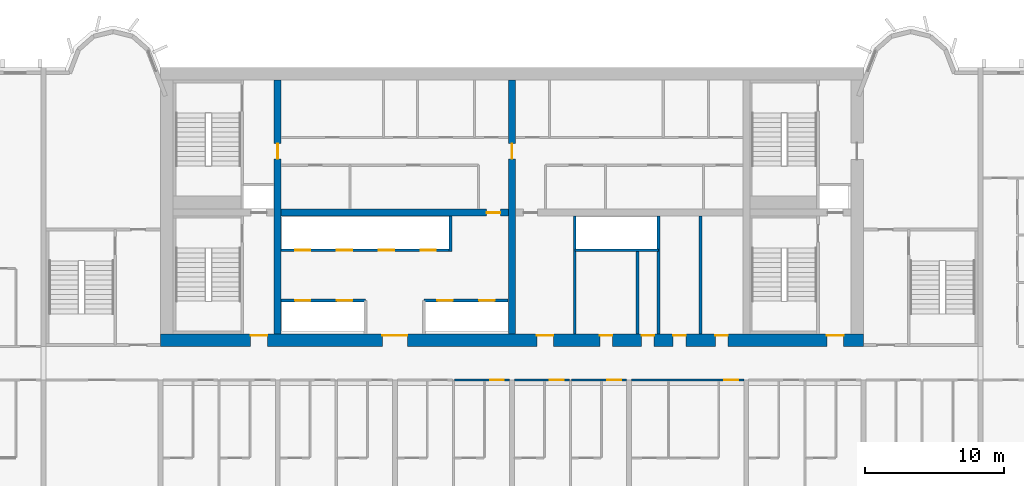
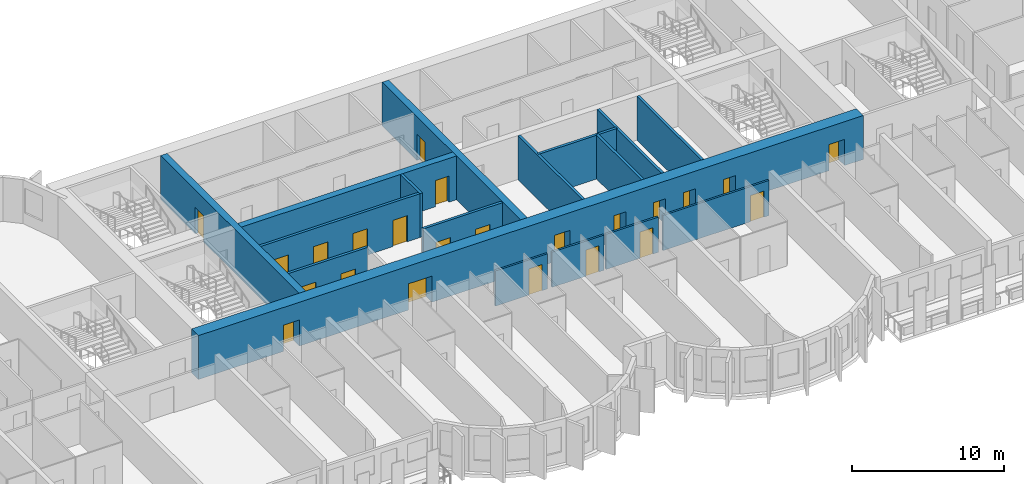
# One storey, part 6 of 15: 23 doors, 17 walls, 23 openings.
"""IFC4 building model written with IfcOpenShell, lengths in metres."""

from ifc_helpers import new_model, si_unit, direction, frame, frame_2d, origin, place, context, subcontext, project, spatial, rectangle, extrude, source, transform, mapped, material, layer, layer_set, type_object, element, fill, save


model = new_model("IFC4")

# Units and contexts
model_context = context("Model", 3, precision=1e-05, world=origin(), true_north=direction((0.0, 1.0)))
body_context = subcontext(model_context, "Body", "Model", "MODEL_VIEW")
ifc_project = project(units=[si_unit("LENGTHUNIT", "METRE"), si_unit("AREAUNIT", "SQUARE_METRE"), si_unit("VOLUMEUNIT", "CUBIC_METRE"), si_unit("PLANEANGLEUNIT", "RADIAN"), si_unit("MASSUNIT", "GRAM", prefix="KILO")], contexts=[model_context])

# Site, building, storey
site_placement = place(None, origin())
site = spatial("IfcSite", under=ifc_project, at=site_placement, CompositionType="ELEMENT")
building_placement = place(site_placement, origin())
building = spatial("IfcBuilding", under=site, at=building_placement, Name="Vanashikhar Sky Hotel", CompositionType="ELEMENT")
storey_placement = place(building_placement, frame((0.0, 0.0, 95.199951171875)))
storey = spatial("IfcBuildingStorey", under=building, at=storey_placement, Name="L22", CompositionType="ELEMENT", Elevation=95.199951171875)

# Wall, openings, doors
ifc_material_1 = material(Name="Concrete M70", Category="concrete")
ifc_layer_1 = layer(ifc_material_1, 0.89990234375)
ifc_layer_set_1 = layer_set([ifc_layer_1], Name="RC core shell wall 900 Concrete M70")
wall_type_1 = type_object("IfcWallType", Name="RC core shell wall 900 Concrete M70", PredefinedType="SHEAR", material=ifc_layer_set_1)
shared_shape_1 = source(origin(), body_context, "Body", "SweptSolid", [
    extrude(rectangle(XDim=50.400146484375, YDim=0.89990234375, at=frame_2d((25.2001953125, 0.0))), origin(), (0.0, 0.0, 1.0), 3.52001953125),
])
wall_1_placement = place(storey_placement, frame((25.199951171875, 22.449951171875, 0.0), z_axis=(0.0, 0.0, 1.0), x_axis=(1.0, 0.0, 0.0)))
wall_1 = element("IfcWall", 1, at=wall_1_placement, inside=storey, type_object=wall_type_1, Name="KW-L22-KS", PredefinedType="SHEAR", context=body_context, shape_type="MappedRepresentation", body=[
    mapped(shared_shape_1, transform((0.0, 0.0, 0.0), scale=1.0)),
])
shared_shape_2 = source(origin(), body_context, "Body", "SweptSolid", [
    extrude(rectangle(XDim=1.800048828125, YDim=2.10009765625, at=frame_2d((0.89990234375, 1.050048828125))), frame((0.0, 0.4599609375, 0.0), z_axis=(0.0, -1.0, 0.0), x_axis=(1.0, 0.0, 0.0)), (0.0, 0.0, 1.0), 0.919921875),
])
opening_1_placement = place(wall_1_placement, frame((15.89990234375, 0.0, 0.0)))
opening_1 = element("IfcOpeningElement", 2, at=opening_1_placement, cuts=wall_1, Name="Opening DC-3-A", PredefinedType="OPENING", context=body_context, shape_type="MappedRepresentation", body=[
    mapped(shared_shape_2, transform((0.0, 0.0, 0.0), scale=1.0)),
])
shared_shape_3 = source(origin(), body_context, "Body", "SweptSolid", [
    extrude(rectangle(XDim=1.199951171875, YDim=2.10009765625, at=frame_2d((0.60009765625, 1.050048828125))), frame((0.0, 0.4599609375, 0.0), z_axis=(0.0, -1.0, 0.0), x_axis=(1.0, 0.0, 0.0)), (0.0, 0.0, 1.0), 0.919921875),
])
opening_2_placement = place(wall_1_placement, frame((26.97509765625, 0.0, 0.0)))
opening_2 = element("IfcOpeningElement", 3, at=opening_2_placement, cuts=wall_1, Name="Opening DC-4-B", PredefinedType="OPENING", context=body_context, shape_type="MappedRepresentation", body=[
    mapped(shared_shape_3, transform((0.0, 0.0, 0.0), scale=1.0)),
])
shared_shape_4 = source(origin(), body_context, "Body", "SweptSolid", [
    extrude(rectangle(XDim=0.89990234375, YDim=2.10009765625, at=frame_2d((0.449951171875, 1.050048828125))), frame((0.0, 0.4599609375, 0.0), z_axis=(0.0, -1.0, 0.0), x_axis=(1.0, 0.0, 0.0)), (0.0, 0.0, 1.0), 0.919921875),
])
opening_3_placement = place(wall_1_placement, frame((34.5, 0.0, 0.0)))
opening_3 = element("IfcOpeningElement", 4, at=opening_3_placement, cuts=wall_1, Name="Opening DC-4-A", PredefinedType="OPENING", context=body_context, shape_type="MappedRepresentation", body=[
    mapped(shared_shape_4, transform((0.0, 0.0, 0.0), scale=1.0)),
])
opening_4_placement = place(wall_1_placement, frame((31.5, 0.0, 0.0)))
opening_4 = element("IfcOpeningElement", 5, at=opening_4_placement, cuts=wall_1, Name="Opening DC-4-A", PredefinedType="OPENING", context=body_context, shape_type="MappedRepresentation", body=[
    mapped(shared_shape_4, transform((0.0, 0.0, 0.0), scale=1.0)),
])
opening_5_placement = place(wall_1_placement, frame((39.7880859375, 0.0, 0.0)))
opening_5 = element("IfcOpeningElement", 6, at=opening_5_placement, cuts=wall_1, Name="Opening DC-4-A", PredefinedType="OPENING", context=body_context, shape_type="MappedRepresentation", body=[
    mapped(shared_shape_4, transform((0.0, 0.0, 0.0), scale=1.0)),
])
opening_6_placement = place(wall_1_placement, frame((36.761962890625, 0.0, 0.0)))
opening_6 = element("IfcOpeningElement", 7, at=opening_6_placement, cuts=wall_1, Name="Opening DC-4-A", PredefinedType="OPENING", context=body_context, shape_type="MappedRepresentation", body=[
    mapped(shared_shape_4, transform((0.0, 0.0, 0.0), scale=1.0)),
])
opening_7_placement = place(wall_1_placement, frame((6.449951171875, 0.0, 0.0)))
opening_7 = element("IfcOpeningElement", 8, at=opening_7_placement, cuts=wall_1, Name="Opening DC-2", PredefinedType="OPENING", context=body_context, shape_type="MappedRepresentation", body=[
    mapped(shared_shape_3, transform((0.0, 0.0, 0.0), scale=1.0)),
])
opening_8_placement = place(wall_1_placement, frame((47.77490234375, 0.0, 0.0)))
opening_8 = element("IfcOpeningElement", 9, at=opening_8_placement, cuts=wall_1, Name="Opening DC-2", PredefinedType="OPENING", context=body_context, shape_type="MappedRepresentation", body=[
    mapped(shared_shape_3, transform((0.0, 0.0, 0.0), scale=1.0)),
])
ifc_material_2 = material(Name="Glass", Category="glass")
door_type_1 = type_object("IfcDoorType", Name="Lift lobby entrance door 1800 FD30S", OperationType="NOTDEFINED", PredefinedType="DOOR", material=ifc_material_2)
shared_shape_5 = source(origin(), body_context, "Body", "SweptSolid", [
    extrude(rectangle(XDim=1.800048828125, YDim=2.10009765625, at=frame_2d((0.89990234375, 1.050048828125))), frame((0.0, 0.375, 0.0), z_axis=(0.0, -1.0, 0.0), x_axis=(1.0, 0.0, 0.0)), (0.0, 0.0, 1.0), 0.050048828125),
])
door_1_placement = place(opening_1_placement, origin())
door_1 = element("IfcDoor", 10, at=door_1_placement, inside=storey, type_object=door_type_1, Name="Lift lobby entrance door 1800 FD30S", OperationType="DOUBLE_DOOR_SINGLE_SWING", OverallHeight=2.10009765625, OverallWidth=1.800048828125, PredefinedType="DOOR", context=body_context, shape_type="MappedRepresentation", body=[
    mapped(shared_shape_5, transform((0.0, 0.0, 0.0), scale=1.0)),
])
fill(opening_1, door_1)
ifc_material_3 = material(Name="Steel", Category="steel")
door_type_2 = type_object("IfcDoorType", Name="Service door 1200 FD60", OperationType="NOTDEFINED", PredefinedType="DOOR", material=ifc_material_3)
shared_shape_6 = source(origin(), body_context, "Body", "SweptSolid", [
    extrude(rectangle(XDim=1.199951171875, YDim=2.10009765625, at=frame_2d((0.60009765625, 1.050048828125))), frame((0.0, 0.375, 0.0), z_axis=(0.0, -1.0, 0.0), x_axis=(1.0, 0.0, 0.0)), (0.0, 0.0, 1.0), 0.050048828125),
])
door_2_placement = place(opening_2_placement, origin())
door_2 = element("IfcDoor", 11, at=door_2_placement, inside=storey, type_object=door_type_2, Name="Service door 1200 FD60", OperationType="SINGLE_SWING_LEFT", OverallHeight=2.10009765625, OverallWidth=1.199951171875, PredefinedType="DOOR", context=body_context, shape_type="MappedRepresentation", body=[
    mapped(shared_shape_6, transform((0.0, 0.0, 0.0), scale=1.0)),
])
fill(opening_2, door_2)
door_type_3 = type_object("IfcDoorType", Name="Firefighting lobby door 1200 FD120", OperationType="NOTDEFINED", PredefinedType="DOOR", material=ifc_material_3)
door_3_placement = place(opening_7_placement, origin())
door_3 = element("IfcDoor", 12, at=door_3_placement, inside=storey, type_object=door_type_3, Name="Firefighting lobby door 1200 FD120", OperationType="SINGLE_SWING_LEFT", OverallHeight=2.10009765625, OverallWidth=1.199951171875, PredefinedType="DOOR", context=body_context, shape_type="MappedRepresentation", body=[
    mapped(shared_shape_6, transform((0.0, 0.0, 0.0), scale=1.0)),
])
fill(opening_7, door_3)
door_4_placement = place(opening_8_placement, origin())
door_4 = element("IfcDoor", 13, at=door_4_placement, inside=storey, type_object=door_type_3, Name="Firefighting lobby door 1200 FD120", OperationType="SINGLE_SWING_LEFT", OverallHeight=2.10009765625, OverallWidth=1.199951171875, PredefinedType="DOOR", context=body_context, shape_type="MappedRepresentation", body=[
    mapped(shared_shape_6, transform((0.0, 0.0, 0.0), scale=1.0)),
])
fill(opening_8, door_4)
door_type_4 = type_object("IfcDoorType", Name="Service door 900 FD60", OperationType="NOTDEFINED", PredefinedType="DOOR", material=ifc_material_3)
shared_shape_7 = source(origin(), body_context, "Body", "SweptSolid", [
    extrude(rectangle(XDim=0.89990234375, YDim=2.10009765625, at=frame_2d((0.449951171875, 1.050048828125))), frame((0.0, 0.375, 0.0), z_axis=(0.0, -1.0, 0.0), x_axis=(1.0, 0.0, 0.0)), (0.0, 0.0, 1.0), 0.050048828125),
])
door_5_placement = place(opening_3_placement, origin())
door_5 = element("IfcDoor", 14, at=door_5_placement, inside=storey, type_object=door_type_4, Name="Service door 900 FD60", OperationType="SINGLE_SWING_LEFT", OverallHeight=2.10009765625, OverallWidth=0.89990234375, PredefinedType="DOOR", context=body_context, shape_type="MappedRepresentation", body=[
    mapped(shared_shape_7, transform((0.0, 0.0, 0.0), scale=1.0)),
])
fill(opening_3, door_5)
door_6_placement = place(opening_4_placement, origin())
door_6 = element("IfcDoor", 15, at=door_6_placement, inside=storey, type_object=door_type_4, Name="Service door 900 FD60", OperationType="SINGLE_SWING_RIGHT", OverallHeight=2.10009765625, OverallWidth=0.89990234375, PredefinedType="DOOR", context=body_context, shape_type="MappedRepresentation", body=[
    mapped(shared_shape_7, transform((0.0, 0.0, 0.0), scale=1.0)),
])
fill(opening_4, door_6)
door_7_placement = place(opening_5_placement, origin())
door_7 = element("IfcDoor", 16, at=door_7_placement, inside=storey, type_object=door_type_4, Name="Service door 900 FD60", OperationType="SINGLE_SWING_LEFT", OverallHeight=2.10009765625, OverallWidth=0.89990234375, PredefinedType="DOOR", context=body_context, shape_type="MappedRepresentation", body=[
    mapped(shared_shape_7, transform((0.0, 0.0, 0.0), scale=1.0)),
])
fill(opening_5, door_7)
door_8_placement = place(opening_6_placement, origin())
door_8 = element("IfcDoor", 17, at=door_8_placement, inside=storey, type_object=door_type_4, Name="Service door 900 FD60", OperationType="SINGLE_SWING_RIGHT", OverallHeight=2.10009765625, OverallWidth=0.89990234375, PredefinedType="DOOR", context=body_context, shape_type="MappedRepresentation", body=[
    mapped(shared_shape_7, transform((0.0, 0.0, 0.0), scale=1.0)),
])
fill(opening_6, door_8)

# Wall, opening, door
ifc_layer_2 = layer(ifc_material_1, 0.5)
ifc_layer_set_2 = layer_set([ifc_layer_2], Name="RC core inner wall 500 Concrete M70")
wall_type_2 = type_object("IfcWallType", Name="RC core inner wall 500 Concrete M70", PredefinedType="SHEAR", material=ifc_layer_set_2)
shared_shape_8 = source(origin(), body_context, "Body", "SweptSolid", [
    extrude(rectangle(XDim=18.2001953125, YDim=0.5, at=frame_2d((9.10009765625, 0.0))), origin(), (0.0, 0.0, 1.0), 3.52001953125),
])
wall_2_placement = place(storey_placement, frame((33.60009765625, 22.89990234375, 0.0), z_axis=(0.0, 0.0, 1.0), x_axis=(0.0, 1.0, 0.0)))
wall_2 = element("IfcWall", 18, at=wall_2_placement, inside=storey, type_object=wall_type_2, Name="KW-L22-KX1", PredefinedType="SHEAR", context=body_context, shape_type="MappedRepresentation", body=[
    mapped(shared_shape_8, transform((0.0, 0.0, 0.0), scale=1.0)),
])
shared_shape_9 = source(origin(), body_context, "Body", "SweptSolid", [
    extrude(rectangle(XDim=1.10009765625, YDim=2.10009765625, at=frame_2d((0.550048828125, 1.050048828125))), frame((0.0, 0.260009765625, 0.0), z_axis=(0.0, -1.0, 0.0), x_axis=(1.0, 0.0, 0.0)), (0.0, 0.0, 1.0), 0.52001953125),
])
opening_9_placement = place(wall_2_placement, frame((12.550048828125, 0.0, 0.0)))
opening_9 = element("IfcOpeningElement", 19, at=opening_9_placement, cuts=wall_2, Name="Opening DC-4-C", PredefinedType="OPENING", context=body_context, shape_type="MappedRepresentation", body=[
    mapped(shared_shape_9, transform((0.0, 0.0, 0.0), scale=1.0)),
])
door_type_5 = type_object("IfcDoorType", Name="Service door 1100 FD60", OperationType="NOTDEFINED", PredefinedType="DOOR", material=ifc_material_3)
shared_shape_10 = source(origin(), body_context, "Body", "SweptSolid", [
    extrude(rectangle(XDim=1.10009765625, YDim=2.10009765625, at=frame_2d((0.550048828125, 1.050048828125))), frame((0.0, 0.02490234375, 0.0), z_axis=(0.0, -1.0, 0.0), x_axis=(1.0, 0.0, 0.0)), (0.0, 0.0, 1.0), 0.050048828125),
])
door_9_placement = place(opening_9_placement, origin())
door_9 = element("IfcDoor", 20, at=door_9_placement, inside=storey, type_object=door_type_5, Name="Service door 1100 FD60", OperationType="SINGLE_SWING_LEFT", OverallHeight=2.10009765625, OverallWidth=1.10009765625, PredefinedType="DOOR", context=body_context, shape_type="MappedRepresentation", body=[
    mapped(shared_shape_10, transform((0.0, 0.0, 0.0), scale=1.0)),
])
fill(opening_9, door_9)

wall_3_placement = place(storey_placement, frame((50.39990234375, 22.89990234375, 0.0), z_axis=(0.0, 0.0, 1.0), x_axis=(0.0, 1.0, 0.0)))
wall_3 = element("IfcWall", 21, at=wall_3_placement, inside=storey, type_object=wall_type_2, Name="KW-L22-KX2", PredefinedType="SHEAR", context=body_context, shape_type="MappedRepresentation", body=[
    mapped(shared_shape_8, transform((0.0, 0.0, 0.0), scale=1.0)),
])
opening_10_placement = place(wall_3_placement, frame((12.550048828125, 0.0, 0.0)))
opening_10 = element("IfcOpeningElement", 22, at=opening_10_placement, cuts=wall_3, Name="Opening DC-4-C", PredefinedType="OPENING", context=body_context, shape_type="MappedRepresentation", body=[
    mapped(shared_shape_9, transform((0.0, 0.0, 0.0), scale=1.0)),
])
door_10_placement = place(opening_10_placement, origin())
door_10 = element("IfcDoor", 23, at=door_10_placement, inside=storey, type_object=door_type_5, Name="Service door 1100 FD60", OperationType="SINGLE_SWING_RIGHT", OverallHeight=2.10009765625, OverallWidth=1.10009765625, PredefinedType="DOOR", context=body_context, shape_type="MappedRepresentation", body=[
    mapped(shared_shape_10, transform((0.0, 0.0, 0.0), scale=1.0)),
])
fill(opening_10, door_10)

shared_shape_11 = source(origin(), body_context, "Body", "SweptSolid", [
    extrude(rectangle(XDim=16.2998046875, YDim=0.5, at=frame_2d((8.14990234375, 0.0))), origin(), (0.0, 0.0, 1.0), 3.52001953125),
])
wall_4_placement = place(storey_placement, frame((33.85009765625, 31.60009765625, 0.0), z_axis=(0.0, 0.0, 1.0), x_axis=(1.0, 0.0, 0.0)))
wall_4 = element("IfcWall", 24, at=wall_4_placement, inside=storey, type_object=wall_type_2, Name="KW-L22-KY2", PredefinedType="SHEAR", context=body_context, shape_type="MappedRepresentation", body=[
    mapped(shared_shape_11, transform((0.0, 0.0, 0.0), scale=1.0)),
])
shared_shape_12 = source(origin(), body_context, "Body", "SweptSolid", [
    extrude(rectangle(XDim=1.0, YDim=2.10009765625, at=frame_2d((0.5, 1.050048828125))), frame((0.0, 0.260009765625, 0.0), z_axis=(0.0, -1.0, 0.0), x_axis=(1.0, 0.0, 0.0)), (0.0, 0.0, 1.0), 0.52001953125),
])
opening_11_placement = place(wall_4_placement, frame((14.72509765625, 0.0, 0.0)))
opening_11 = element("IfcOpeningElement", 25, at=opening_11_placement, cuts=wall_4, Name="Opening DC-4", PredefinedType="OPENING", context=body_context, shape_type="MappedRepresentation", body=[
    mapped(shared_shape_12, transform((0.0, 0.0, 0.0), scale=1.0)),
])
door_type_6 = type_object("IfcDoorType", Name="Service door 1000 FD60", OperationType="NOTDEFINED", PredefinedType="DOOR", material=ifc_material_3)
shared_shape_13 = source(origin(), body_context, "Body", "SweptSolid", [
    extrude(rectangle(XDim=1.0, YDim=2.10009765625, at=frame_2d((0.5, 1.050048828125))), frame((0.0, 0.02490234375, 0.0), z_axis=(0.0, -1.0, 0.0), x_axis=(1.0, 0.0, 0.0)), (0.0, 0.0, 1.0), 0.050048828125),
])
door_11_placement = place(opening_11_placement, origin())
door_11 = element("IfcDoor", 26, at=door_11_placement, inside=storey, type_object=door_type_6, Name="Service door 1000 FD60", OperationType="SINGLE_SWING_LEFT", OverallHeight=2.10009765625, OverallWidth=1.0, PredefinedType="DOOR", context=body_context, shape_type="MappedRepresentation", body=[
    mapped(shared_shape_13, transform((0.0, 0.0, 0.0), scale=1.0)),
])
fill(opening_11, door_11)

# Wall, openings, doors
ifc_material_4 = material(Name="Concrete M40", Category="concrete")
ifc_layer_3 = layer(ifc_material_4, 0.199951171875)
ifc_layer_set_3 = layer_set([ifc_layer_3], Name="Shaft wall 200")
wall_type_3 = type_object("IfcWallType", Name="Shaft wall 200", PredefinedType="SOLIDWALL", material=ifc_layer_set_3)
shared_shape_14 = source(origin(), body_context, "Body", "SweptSolid", [
    extrude(rectangle(XDim=6.0, YDim=0.199951171875, at=frame_2d((3.0, 0.0))), origin(), (0.0, 0.0, 1.0), 3.52001953125),
])
wall_5_placement = place(storey_placement, frame((44.10009765625, 25.300048828125, 0.0), z_axis=(0.0, 0.0, 1.0), x_axis=(1.0, 0.0, 0.0)))
wall_5 = element("IfcWall", 27, at=wall_5_placement, inside=storey, type_object=wall_type_3, Name="Shaft wall 200", PredefinedType="SOLIDWALL", context=body_context, shape_type="MappedRepresentation", body=[
    mapped(shared_shape_14, transform((0.0, 0.0, 0.0), scale=1.0)),
])
shared_shape_15 = source(origin(), body_context, "Body", "SweptSolid", [
    extrude(rectangle(XDim=1.10009765625, YDim=2.10009765625, at=frame_2d((0.550048828125, 1.050048828125))), frame((0.0, 0.10986328125, 0.0), z_axis=(0.0, -1.0, 0.0), x_axis=(1.0, 0.0, 0.0)), (0.0, 0.0, 1.0), 0.219970703125),
])
opening_12_placement = place(wall_5_placement, frame((0.949951171875, 0.0, 0.0)))
opening_12 = element("IfcOpeningElement", 28, at=opening_12_placement, cuts=wall_5, Name="Opening LD", PredefinedType="OPENING", context=body_context, shape_type="MappedRepresentation", body=[
    mapped(shared_shape_15, transform((0.0, 0.0, 0.0), scale=1.0)),
])
opening_13_placement = place(wall_5_placement, frame((3.949951171875, 0.0, 0.0)))
opening_13 = element("IfcOpeningElement", 29, at=opening_13_placement, cuts=wall_5, Name="Opening LD", PredefinedType="OPENING", context=body_context, shape_type="MappedRepresentation", body=[
    mapped(shared_shape_15, transform((0.0, 0.0, 0.0), scale=1.0)),
])
ifc_material_5 = material(Name="Stainless steel", Category="steel")
door_type_7 = type_object("IfcDoorType", Name="Lift landing door 1100", OperationType="NOTDEFINED", PredefinedType="DOOR", material=ifc_material_5)
door_12_placement = place(opening_12_placement, origin())
door_12 = element("IfcDoor", 30, at=door_12_placement, inside=storey, type_object=door_type_7, Name="Lift landing door 1100", OperationType="SLIDING_TO_LEFT", OverallHeight=2.10009765625, OverallWidth=1.10009765625, PredefinedType="DOOR", context=body_context, shape_type="MappedRepresentation", body=[
    mapped(shared_shape_10, transform((0.0, 0.0, 0.0), scale=1.0)),
])
fill(opening_12, door_12)
door_13_placement = place(opening_13_placement, origin())
door_13 = element("IfcDoor", 31, at=door_13_placement, inside=storey, type_object=door_type_7, Name="Lift landing door 1100", OperationType="SLIDING_TO_RIGHT", OverallHeight=2.10009765625, OverallWidth=1.10009765625, PredefinedType="DOOR", context=body_context, shape_type="MappedRepresentation", body=[
    mapped(shared_shape_10, transform((0.0, 0.0, 0.0), scale=1.0)),
])
fill(opening_13, door_13)

# Walls
wall_6_placement = place(storey_placement, frame((60.89990234375, 28.89990234375, 0.0), z_axis=(0.0, 0.0, 1.0), x_axis=(-1.0, 0.0, 0.0)))
element("IfcWall", 32, at=wall_6_placement, inside=storey, type_object=wall_type_3, Name="Shaft wall 200", PredefinedType="SOLIDWALL", context=body_context, shape_type="MappedRepresentation", body=[
    mapped(shared_shape_14, transform((0.0, 0.0, 0.0), scale=1.0)),
])
ifc_material_6 = material(Name="Gypsum board partition")
ifc_layer_4 = layer(ifc_material_6, 0.14990234375)
ifc_layer_set_4 = layer_set([ifc_layer_4], Name="Service partition 150")
wall_type_4 = type_object("IfcWallType", Name="Service partition 150", PredefinedType="PARTITIONING", material=ifc_layer_set_4)
wall_7_placement = place(storey_placement, frame((59.39990234375, 22.89990234375, 0.0), z_axis=(0.0, 0.0, 1.0), x_axis=(0.0, 1.0, 0.0)))
element("IfcWall", 33, at=wall_7_placement, inside=storey, type_object=wall_type_4, Name="Service partition 150", PredefinedType="PARTITIONING", context=body_context, shape_type="MappedRepresentation", body=[
    mapped(shared_shape_14, transform((0.0, 0.0, 0.0), scale=1.0)),
])

# Wall, openings, doors
shared_shape_16 = source(origin(), body_context, "Body", "SweptSolid", [
    extrude(rectangle(XDim=6.0498046875, YDim=0.199951171875, at=frame_2d((3.02490234375, 0.0))), origin(), (0.0, 0.0, 1.0), 3.52001953125),
])
wall_8_placement = place(storey_placement, frame((33.85009765625, 25.300048828125, 0.0), z_axis=(0.0, 0.0, 1.0), x_axis=(1.0, 0.0, 0.0)))
wall_8 = element("IfcWall", 34, at=wall_8_placement, inside=storey, type_object=wall_type_3, Name="Shaft wall 200", PredefinedType="SOLIDWALL", context=body_context, shape_type="MappedRepresentation", body=[
    mapped(shared_shape_16, transform((0.0, 0.0, 0.0), scale=1.0)),
])
opening_14_placement = place(wall_8_placement, frame((1.0, 0.0, 0.0)))
opening_14 = element("IfcOpeningElement", 35, at=opening_14_placement, cuts=wall_8, Name="Opening LD", PredefinedType="OPENING", context=body_context, shape_type="MappedRepresentation", body=[
    mapped(shared_shape_15, transform((0.0, 0.0, 0.0), scale=1.0)),
])
opening_15_placement = place(wall_8_placement, frame((4.0, 0.0, 0.0)))
opening_15 = element("IfcOpeningElement", 36, at=opening_15_placement, cuts=wall_8, Name="Opening LD", PredefinedType="OPENING", context=body_context, shape_type="MappedRepresentation", body=[
    mapped(shared_shape_15, transform((0.0, 0.0, 0.0), scale=1.0)),
])
door_14_placement = place(opening_14_placement, origin())
door_14 = element("IfcDoor", 37, at=door_14_placement, inside=storey, type_object=door_type_7, Name="Lift landing door 1100", OperationType="SLIDING_TO_LEFT", OverallHeight=2.10009765625, OverallWidth=1.10009765625, PredefinedType="DOOR", context=body_context, shape_type="MappedRepresentation", body=[
    mapped(shared_shape_10, transform((0.0, 0.0, 0.0), scale=1.0)),
])
fill(opening_14, door_14)
door_15_placement = place(opening_15_placement, origin())
door_15 = element("IfcDoor", 38, at=door_15_placement, inside=storey, type_object=door_type_7, Name="Lift landing door 1100", OperationType="SLIDING_TO_RIGHT", OverallHeight=2.10009765625, OverallWidth=1.10009765625, PredefinedType="DOOR", context=body_context, shape_type="MappedRepresentation", body=[
    mapped(shared_shape_10, transform((0.0, 0.0, 0.0), scale=1.0)),
])
fill(opening_15, door_15)

shared_shape_17 = source(origin(), body_context, "Body", "SweptSolid", [
    extrude(rectangle(XDim=12.0498046875, YDim=0.199951171875, at=frame_2d((6.02490234375, 0.0))), origin(), (0.0, 0.0, 1.0), 3.52001953125),
])
wall_9_placement = place(storey_placement, frame((33.85009765625, 28.89990234375, 0.0), z_axis=(0.0, 0.0, 1.0), x_axis=(1.0, 0.0, 0.0)))
wall_9 = element("IfcWall", 39, at=wall_9_placement, inside=storey, type_object=wall_type_3, Name="Shaft wall 200", PredefinedType="SOLIDWALL", context=body_context, shape_type="MappedRepresentation", body=[
    mapped(shared_shape_17, transform((0.0, 0.0, 0.0), scale=1.0)),
])
opening_16_placement = place(wall_9_placement, frame((1.0, 0.0, 0.0)))
opening_16 = element("IfcOpeningElement", 40, at=opening_16_placement, cuts=wall_9, Name="Opening LD", PredefinedType="OPENING", context=body_context, shape_type="MappedRepresentation", body=[
    mapped(shared_shape_15, transform((0.0, 0.0, 0.0), scale=1.0)),
])
opening_17_placement = place(wall_9_placement, frame((4.0, 0.0, 0.0)))
opening_17 = element("IfcOpeningElement", 41, at=opening_17_placement, cuts=wall_9, Name="Opening LD", PredefinedType="OPENING", context=body_context, shape_type="MappedRepresentation", body=[
    mapped(shared_shape_15, transform((0.0, 0.0, 0.0), scale=1.0)),
])
opening_18_placement = place(wall_9_placement, frame((7.0, 0.0, 0.0)))
opening_18 = element("IfcOpeningElement", 42, at=opening_18_placement, cuts=wall_9, Name="Opening LD", PredefinedType="OPENING", context=body_context, shape_type="MappedRepresentation", body=[
    mapped(shared_shape_15, transform((0.0, 0.0, 0.0), scale=1.0)),
])
opening_19_placement = place(wall_9_placement, frame((10.0, 0.0, 0.0)))
opening_19 = element("IfcOpeningElement", 43, at=opening_19_placement, cuts=wall_9, Name="Opening LD", PredefinedType="OPENING", context=body_context, shape_type="MappedRepresentation", body=[
    mapped(shared_shape_15, transform((0.0, 0.0, 0.0), scale=1.0)),
])
door_16_placement = place(opening_16_placement, origin())
door_16 = element("IfcDoor", 44, at=door_16_placement, inside=storey, type_object=door_type_7, Name="Lift landing door 1100", OperationType="SLIDING_TO_LEFT", OverallHeight=2.10009765625, OverallWidth=1.10009765625, PredefinedType="DOOR", context=body_context, shape_type="MappedRepresentation", body=[
    mapped(shared_shape_10, transform((0.0, 0.0, 0.0), scale=1.0)),
])
fill(opening_16, door_16)
door_17_placement = place(opening_17_placement, origin())
door_17 = element("IfcDoor", 45, at=door_17_placement, inside=storey, type_object=door_type_7, Name="Lift landing door 1100", OperationType="SLIDING_TO_RIGHT", OverallHeight=2.10009765625, OverallWidth=1.10009765625, PredefinedType="DOOR", context=body_context, shape_type="MappedRepresentation", body=[
    mapped(shared_shape_10, transform((0.0, 0.0, 0.0), scale=1.0)),
])
fill(opening_17, door_17)
door_18_placement = place(opening_18_placement, origin())
door_18 = element("IfcDoor", 46, at=door_18_placement, inside=storey, type_object=door_type_7, Name="Lift landing door 1100", OperationType="SLIDING_TO_LEFT", OverallHeight=2.10009765625, OverallWidth=1.10009765625, PredefinedType="DOOR", context=body_context, shape_type="MappedRepresentation", body=[
    mapped(shared_shape_10, transform((0.0, 0.0, 0.0), scale=1.0)),
])
fill(opening_18, door_18)
door_19_placement = place(opening_19_placement, origin())
door_19 = element("IfcDoor", 47, at=door_19_placement, inside=storey, type_object=door_type_7, Name="Lift landing door 1100", OperationType="SLIDING_TO_RIGHT", OverallHeight=2.10009765625, OverallWidth=1.10009765625, PredefinedType="DOOR", context=body_context, shape_type="MappedRepresentation", body=[
    mapped(shared_shape_10, transform((0.0, 0.0, 0.0), scale=1.0)),
])
fill(opening_19, door_19)

# Walls
shared_shape_18 = source(origin(), body_context, "Body", "SweptSolid", [
    extrude(rectangle(XDim=2.550048828125, YDim=0.199951171875, at=frame_2d((1.27490234375, 0.0))), origin(), (0.0, 0.0, 1.0), 3.52001953125),
])
wall_10_placement = place(storey_placement, frame((46.0, 28.800048828125, 0.0), z_axis=(0.0, 0.0, 1.0), x_axis=(0.0, 1.0, 0.0)))
element("IfcWall", 48, at=wall_10_placement, inside=storey, type_object=wall_type_3, Name="Shaft wall 200", PredefinedType="SOLIDWALL", context=body_context, shape_type="MappedRepresentation", body=[
    mapped(shared_shape_18, transform((0.0, 0.0, 0.0), scale=1.0)),
])
shared_shape_19 = source(origin(), body_context, "Body", "SweptSolid", [
    extrude(rectangle(XDim=8.4501953125, YDim=0.199951171875, at=frame_2d((4.22509765625, 0.0))), origin(), (0.0, 0.0, 1.0), 3.52001953125),
])
for number, where, z_axis, x_axis, name in (
    (49, (54.89990234375, 22.89990234375, 0.0), (0.0, 0.0, 1.0), (0.0, 1.0, 0.0), "Service partition 150"),
    (50, (60.89990234375, 22.89990234375, 0.0), (0.0, 0.0, 1.0), (0.0, 1.0, 0.0), "Service partition 150"),
    (51, (63.925048828125, 22.89990234375, 0.0), (0.0, 0.0, 1.0), (0.0, 1.0, 0.0), "Service partition 150"),
):
    element("IfcWall", number, at=place(storey_placement, frame(where, z_axis=z_axis, x_axis=x_axis)), inside=storey, type_object=wall_type_4, Name=name, PredefinedType="PARTITIONING", context=body_context, shape_type="MappedRepresentation", body=[
        mapped(shared_shape_19, transform((0.0, 0.0, 0.0), scale=1.0)),
    ])

# Wall, opening, door
ifc_material_7 = material(Name="Gypsum plasterboard partition")
ifc_layer_5 = layer(ifc_material_7, 0.14990234375)
ifc_layer_set_5 = layer_set([ifc_layer_5], Name="Corridor and demising partition 150")
wall_type_5 = type_object("IfcWallType", Name="Corridor and demising partition 150", PredefinedType="PARTITIONING", material=ifc_layer_set_5)
shared_shape_20 = source(origin(), body_context, "Body", "SweptSolid", [
    extrude(rectangle(XDim=3.9501953125, YDim=0.14990234375, at=frame_2d((1.97509765625, 0.0))), origin(), (0.0, 0.0, 1.0), 2.820068359375),
])
wall_11_placement = place(storey_placement, frame((46.27490234375, 19.60009765625, 0.0), z_axis=(0.0, 0.0, 1.0), x_axis=(1.0, 0.0, 0.0)))
wall_11 = element("IfcWall", 52, at=wall_11_placement, inside=storey, type_object=wall_type_5, Name="W-L22-PW033", PredefinedType="PARTITIONING", context=body_context, shape_type="MappedRepresentation", body=[
    mapped(shared_shape_20, transform((0.0, 0.0, 0.0), scale=1.0)),
])
shared_shape_21 = source(origin(), body_context, "Body", "SweptSolid", [
    extrude(rectangle(XDim=1.0, YDim=2.10009765625, at=frame_2d((0.5, 1.050048828125))), frame((0.0, 0.0849609375, 0.0), z_axis=(0.0, -1.0, 0.0), x_axis=(1.0, 0.0, 0.0)), (0.0, 0.0, 1.0), 0.169921875),
])
opening_20_placement = place(wall_11_placement, frame((2.550048828125, 0.0, 0.0)))
opening_20 = element("IfcOpeningElement", 53, at=opening_20_placement, cuts=wall_11, Name="Opening D-01", PredefinedType="OPENING", context=body_context, shape_type="MappedRepresentation", body=[
    mapped(shared_shape_21, transform((0.0, 0.0, 0.0), scale=1.0)),
])
ifc_material_8 = material(Name="Timber fire door", Category="wood")
door_type_8 = type_object("IfcDoorType", Name="Guest entry door 1000 FD30S", OperationType="NOTDEFINED", PredefinedType="DOOR", material=ifc_material_8)
door_20_placement = place(opening_20_placement, origin())
door_20 = element("IfcDoor", 54, at=door_20_placement, inside=storey, type_object=door_type_8, Name="D-L22-020", OperationType="SINGLE_SWING_RIGHT", OverallHeight=2.10009765625, OverallWidth=1.0, PredefinedType="DOOR", context=body_context, shape_type="MappedRepresentation", body=[
    mapped(shared_shape_13, transform((0.0, 0.0, 0.0), scale=1.0)),
])
fill(opening_20, door_20)

shared_shape_22 = source(origin(), body_context, "Body", "SweptSolid", [
    extrude(rectangle(XDim=8.0498046875, YDim=0.14990234375, at=frame_2d((4.02490234375, 0.0))), origin(), (0.0, 0.0, 1.0), 2.820068359375),
])
wall_12_placement = place(storey_placement, frame((58.97509765625, 19.60009765625, 0.0), z_axis=(0.0, 0.0, 1.0), x_axis=(1.0, 0.0, 0.0)))
wall_12 = element("IfcWall", 55, at=wall_12_placement, inside=storey, type_object=wall_type_5, Name="W-L22-PW046", PredefinedType="PARTITIONING", context=body_context, shape_type="MappedRepresentation", body=[
    mapped(shared_shape_22, transform((0.0, 0.0, 0.0), scale=1.0)),
])
opening_21_placement = place(wall_12_placement, frame((6.64990234375, 0.0, 0.0)))
opening_21 = element("IfcOpeningElement", 56, at=opening_21_placement, cuts=wall_12, Name="Opening D-01", PredefinedType="OPENING", context=body_context, shape_type="MappedRepresentation", body=[
    mapped(shared_shape_21, transform((0.0, 0.0, 0.0), scale=1.0)),
])
door_21_placement = place(opening_21_placement, origin())
door_21 = element("IfcDoor", 57, at=door_21_placement, inside=storey, type_object=door_type_8, Name="D-L22-027", OperationType="SINGLE_SWING_RIGHT", OverallHeight=2.10009765625, OverallWidth=1.0, PredefinedType="DOOR", context=body_context, shape_type="MappedRepresentation", body=[
    mapped(shared_shape_13, transform((0.0, 0.0, 0.0), scale=1.0)),
])
fill(opening_21, door_21)

shared_shape_23 = source(origin(), body_context, "Body", "SweptSolid", [
    extrude(rectangle(XDim=3.949951171875, YDim=0.14990234375, at=frame_2d((1.97509765625, 0.0))), origin(), (0.0, 0.0, 1.0), 2.820068359375),
])
wall_13_placement = place(storey_placement, frame((50.574951171875, 19.60009765625, 0.0), z_axis=(0.0, 0.0, 1.0), x_axis=(1.0, 0.0, 0.0)))
wall_13 = element("IfcWall", 58, at=wall_13_placement, inside=storey, type_object=wall_type_5, Name="W-L22-PW037", PredefinedType="PARTITIONING", context=body_context, shape_type="MappedRepresentation", body=[
    mapped(shared_shape_23, transform((0.0, 0.0, 0.0), scale=1.0)),
])
opening_22_placement = place(wall_13_placement, frame((2.550048828125, 0.0, 0.0)))
opening_22 = element("IfcOpeningElement", 59, at=opening_22_placement, cuts=wall_13, Name="Opening D-01", PredefinedType="OPENING", context=body_context, shape_type="MappedRepresentation", body=[
    mapped(shared_shape_21, transform((0.0, 0.0, 0.0), scale=1.0)),
])
door_22_placement = place(opening_22_placement, origin())
door_22 = element("IfcDoor", 60, at=door_22_placement, inside=storey, type_object=door_type_8, Name="D-L22-022", OperationType="SINGLE_SWING_RIGHT", OverallHeight=2.10009765625, OverallWidth=1.0, PredefinedType="DOOR", context=body_context, shape_type="MappedRepresentation", body=[
    mapped(shared_shape_13, transform((0.0, 0.0, 0.0), scale=1.0)),
])
fill(opening_22, door_22)

wall_14_placement = place(storey_placement, frame((54.675048828125, 19.60009765625, 0.0), z_axis=(0.0, 0.0, 1.0), x_axis=(1.0, 0.0, 0.0)))
wall_14 = element("IfcWall", 61, at=wall_14_placement, inside=storey, type_object=wall_type_5, Name="W-L22-PW040", PredefinedType="PARTITIONING", context=body_context, shape_type="MappedRepresentation", body=[
    mapped(shared_shape_23, transform((0.0, 0.0, 0.0), scale=1.0)),
])
opening_23_placement = place(wall_14_placement, frame((2.550048828125, 0.0, 0.0)))
opening_23 = element("IfcOpeningElement", 62, at=opening_23_placement, cuts=wall_14, Name="Opening D-01", PredefinedType="OPENING", context=body_context, shape_type="MappedRepresentation", body=[
    mapped(shared_shape_21, transform((0.0, 0.0, 0.0), scale=1.0)),
])
door_23_placement = place(opening_23_placement, origin())
door_23 = element("IfcDoor", 63, at=door_23_placement, inside=storey, type_object=door_type_8, Name="D-L22-024", OperationType="SINGLE_SWING_RIGHT", OverallHeight=2.10009765625, OverallWidth=1.0, PredefinedType="DOOR", context=body_context, shape_type="MappedRepresentation", body=[
    mapped(shared_shape_13, transform((0.0, 0.0, 0.0), scale=1.0)),
])
fill(opening_23, door_23)

save(model, "model.ifc")
